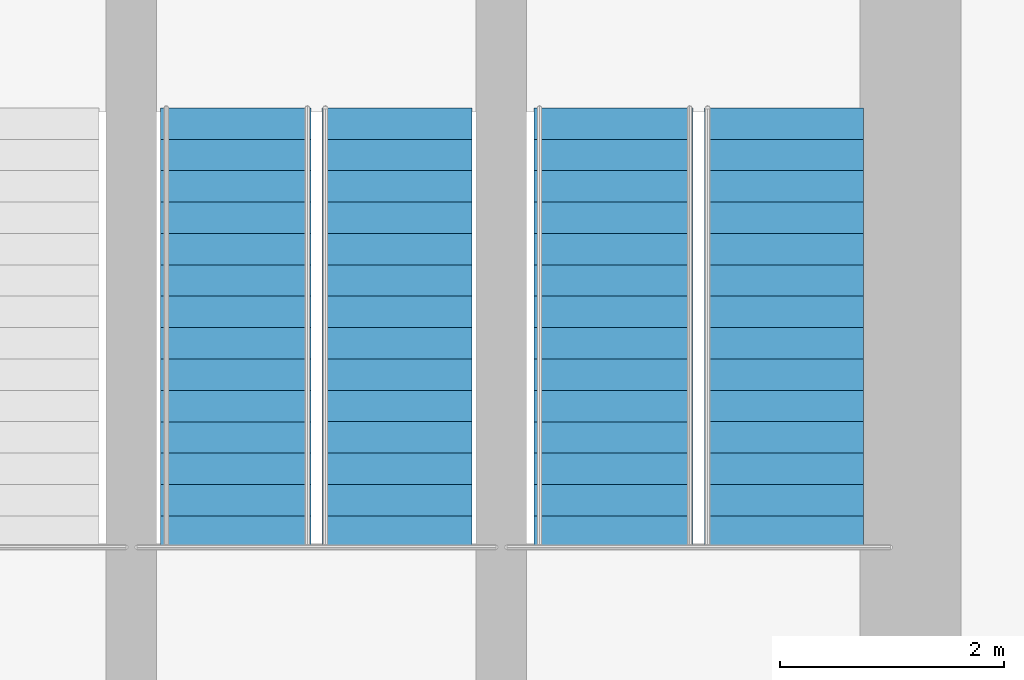
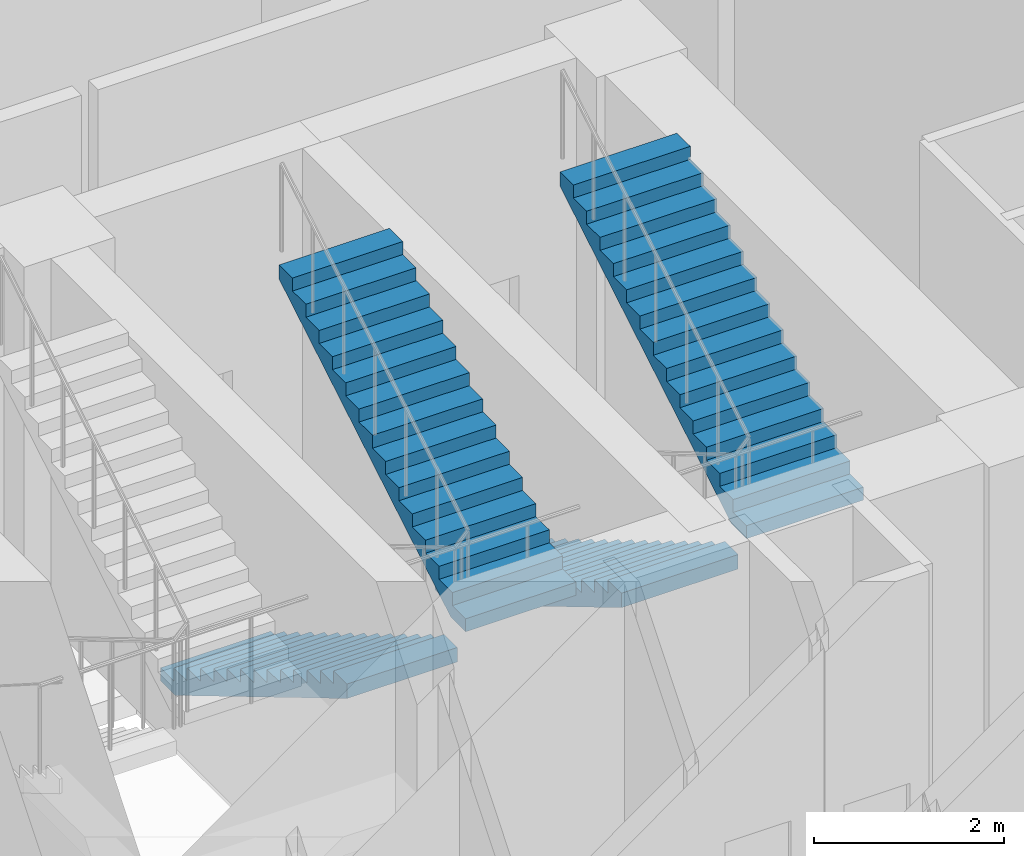
# One storey, part 30 of 37: 4 stair flights, 2 elements without a shape of their own.
"""IFC4 building model written with IfcOpenShell, lengths in metres."""

from ifc_helpers import new_model, si_unit, direction, frame, origin, place, context, subcontext, project, spatial, polyline, outline, extrude, material, type_object, element, aggregate, save


model = new_model("IFC4")

# Units and contexts
model_context = context("Model", 3, precision=1e-05, world=origin(), true_north=direction((0.0, 1.0)))
body_context = subcontext(model_context, "Body", "Model", "MODEL_VIEW")
ifc_project = project(units=[si_unit("LENGTHUNIT", "METRE"), si_unit("AREAUNIT", "SQUARE_METRE"), si_unit("VOLUMEUNIT", "CUBIC_METRE"), si_unit("PLANEANGLEUNIT", "RADIAN"), si_unit("MASSUNIT", "GRAM", prefix="KILO")], contexts=[model_context])

# Site, building, storey
site_placement = place(None, origin())
site = spatial("IfcSite", under=ifc_project, at=site_placement, CompositionType="ELEMENT")
building_placement = place(site_placement, origin())
building = spatial("IfcBuilding", under=site, at=building_placement, Name="Nuhasar Tower", CompositionType="ELEMENT")
storey_placement = place(building_placement, frame((0.0, 0.0, 6.0)))
storey = spatial("IfcBuildingStorey", under=building, at=storey_placement, Name="L01", CompositionType="ELEMENT", Elevation=6.0)

# Stair, stair flights
ifc_material = material(Name="Concrete C45/55", Category="concrete")
stair_type_1 = type_object("IfcStairType", Name="STR-ST-02-2F-30R-1667", PredefinedType="HALF_TURN_STAIR", material=ifc_material)
stair_1_placement = place(storey_placement, origin())
stair_1 = element("IfcStair", 1, at=stair_1_placement, inside=storey, type_object=stair_type_1, Name="L01 Exit Stair ST-02", PredefinedType="HALF_TURN_STAIR")
stair_flight_type_1 = type_object("IfcStairFlightType", Name="SFL-ST-02-15R-1667", PredefinedType="STRAIGHT", material=ifc_material)
stair_flight_1_placement = place(storey_placement, frame((41.64990234375, 35.284912109375, 0.0), z_axis=(0.0, 0.0, 1.0), x_axis=(0.0, -1.0, 0.0)))
stair_flight_1 = element("IfcStairFlight", 2, at=stair_flight_1_placement, type_object=stair_flight_type_1, Name="ST-02 flight 1", NumberOfRisers=15, NumberOfTreads=14, PredefinedType="STRAIGHT", RiserHeight=0.166667, TreadLength=0.28, context=body_context, shape_type="SweptSolid", body=[
    extrude(outline(polyline([(0.0, 0.0), (0.0, 0.166748046875), (0.280029296875, 0.166748046875), (0.280029296875, 0.333251953125), (0.56005859375, 0.333251953125), (0.56005859375, 0.5), (0.840087890625, 0.5), (0.840087890625, 0.666748046875), (1.1201171875, 0.666748046875), (1.1201171875, 0.833251953125), (1.39990234375, 0.833251953125), (1.39990234375, 1.0), (1.679931640625, 1.0), (1.679931640625, 1.166748046875), (1.9599609375, 1.166748046875), (1.9599609375, 1.333251953125), (2.239990234375, 1.333251953125), (2.239990234375, 1.5), (2.52001953125, 1.5), (2.52001953125, 1.666748046875), (2.800048828125, 1.666748046875), (2.800048828125, 1.833251953125), (3.080078125, 1.833251953125), (3.080078125, 2.0), (3.360107421875, 2.0), (3.360107421875, 2.166748046875), (3.639892578125, 2.166748046875), (3.639892578125, 2.333251953125), (3.919921875, 2.333251953125), (3.919921875, 2.5), (3.919921875, 2.147216796875), (0.312744140625, 0.0), (0.0, 0.0)])), frame((0.0, 0.7099609375, 0.0), z_axis=(0.0, -1.0, 0.0), x_axis=(1.0, 0.0, 0.0)), (0.0, 0.0, 1.0), 1.419921875),
])
stair_flight_2_placement = place(storey_placement, frame((43.169921875, 31.364990234375, 2.5), z_axis=(0.0, 0.0, 1.0), x_axis=(0.0, 1.0, 0.0)))
stair_flight_2 = element("IfcStairFlight", 3, at=stair_flight_2_placement, type_object=stair_flight_type_1, Name="ST-02 flight 2", NumberOfRisers=15, NumberOfTreads=14, PredefinedType="STRAIGHT", RiserHeight=0.166667, TreadLength=0.28, context=body_context, shape_type="SweptSolid", body=[
    extrude(outline(polyline([(0.0, 0.0), (0.0, 0.166748046875), (0.280029296875, 0.166748046875), (0.280029296875, 0.333251953125), (0.56005859375, 0.333251953125), (0.56005859375, 0.5), (0.840087890625, 0.5), (0.840087890625, 0.666748046875), (1.1201171875, 0.666748046875), (1.1201171875, 0.833251953125), (1.39990234375, 0.833251953125), (1.39990234375, 1.0), (1.679931640625, 1.0), (1.679931640625, 1.166748046875), (1.9599609375, 1.166748046875), (1.9599609375, 1.333251953125), (2.239990234375, 1.333251953125), (2.239990234375, 1.5), (2.52001953125, 1.5), (2.52001953125, 1.666748046875), (2.800048828125, 1.666748046875), (2.800048828125, 1.833251953125), (3.080078125, 1.833251953125), (3.080078125, 2.0), (3.360107421875, 2.0), (3.360107421875, 2.166748046875), (3.639892578125, 2.166748046875), (3.639892578125, 2.333251953125), (3.919921875, 2.333251953125), (3.919921875, 2.5), (3.919921875, 2.147216796875), (0.312744140625, 0.0), (0.0, 0.0)])), frame((0.0, 0.7099609375, 0.0), z_axis=(0.0, -1.0, 0.0), x_axis=(1.0, 0.0, 0.0)), (0.0, 0.0, 1.0), 1.419921875),
])
aggregate(stair_1, [stair_flight_1, stair_flight_2])

stair_type_2 = type_object("IfcStairType", Name="STR-ST-03-2F-30R-1667", PredefinedType="HALF_TURN_STAIR", material=ifc_material)
stair_2_placement = place(storey_placement, origin())
stair_2 = element("IfcStair", 4, at=stair_2_placement, inside=storey, type_object=stair_type_2, Name="L01 Exit Stair ST-03", PredefinedType="HALF_TURN_STAIR")
stair_flight_type_2 = type_object("IfcStairFlightType", Name="SFL-ST-03-15R-1667", PredefinedType="STRAIGHT", material=ifc_material)
stair_flight_3_placement = place(storey_placement, frame((38.280029296875, 35.284912109375, 0.0), z_axis=(0.0, 0.0, 1.0), x_axis=(0.0, -1.0, 0.0)))
stair_flight_3 = element("IfcStairFlight", 5, at=stair_flight_3_placement, type_object=stair_flight_type_2, Name="ST-03 flight 1", NumberOfRisers=15, NumberOfTreads=14, PredefinedType="STRAIGHT", RiserHeight=0.166667, TreadLength=0.28, context=body_context, shape_type="SweptSolid", body=[
    extrude(outline(polyline([(0.0, 0.0), (0.0, 0.166748046875), (0.280029296875, 0.166748046875), (0.280029296875, 0.333251953125), (0.56005859375, 0.333251953125), (0.56005859375, 0.5), (0.840087890625, 0.5), (0.840087890625, 0.666748046875), (1.1201171875, 0.666748046875), (1.1201171875, 0.833251953125), (1.39990234375, 0.833251953125), (1.39990234375, 1.0), (1.679931640625, 1.0), (1.679931640625, 1.166748046875), (1.9599609375, 1.166748046875), (1.9599609375, 1.333251953125), (2.239990234375, 1.333251953125), (2.239990234375, 1.5), (2.52001953125, 1.5), (2.52001953125, 1.666748046875), (2.800048828125, 1.666748046875), (2.800048828125, 1.833251953125), (3.080078125, 1.833251953125), (3.080078125, 2.0), (3.360107421875, 2.0), (3.360107421875, 2.166748046875), (3.639892578125, 2.166748046875), (3.639892578125, 2.333251953125), (3.919921875, 2.333251953125), (3.919921875, 2.5), (3.919921875, 2.147216796875), (0.312744140625, 0.0), (0.0, 0.0)])), frame((0.0, 0.669921875, 0.0), z_axis=(0.0, -1.0, 0.0), x_axis=(1.0, 0.0, 0.0)), (0.0, 0.0, 1.0), 1.340087890625),
])
stair_flight_4_placement = place(storey_placement, frame((39.719970703125, 31.364990234375, 2.5), z_axis=(0.0, 0.0, 1.0), x_axis=(0.0, 1.0, 0.0)))
stair_flight_4 = element("IfcStairFlight", 6, at=stair_flight_4_placement, type_object=stair_flight_type_2, Name="ST-03 flight 2", NumberOfRisers=15, NumberOfTreads=14, PredefinedType="STRAIGHT", RiserHeight=0.166667, TreadLength=0.28, context=body_context, shape_type="SweptSolid", body=[
    extrude(outline(polyline([(0.0, 0.0), (0.0, 0.166748046875), (0.280029296875, 0.166748046875), (0.280029296875, 0.333251953125), (0.56005859375, 0.333251953125), (0.56005859375, 0.5), (0.840087890625, 0.5), (0.840087890625, 0.666748046875), (1.1201171875, 0.666748046875), (1.1201171875, 0.833251953125), (1.39990234375, 0.833251953125), (1.39990234375, 1.0), (1.679931640625, 1.0), (1.679931640625, 1.166748046875), (1.9599609375, 1.166748046875), (1.9599609375, 1.333251953125), (2.239990234375, 1.333251953125), (2.239990234375, 1.5), (2.52001953125, 1.5), (2.52001953125, 1.666748046875), (2.800048828125, 1.666748046875), (2.800048828125, 1.833251953125), (3.080078125, 1.833251953125), (3.080078125, 2.0), (3.360107421875, 2.0), (3.360107421875, 2.166748046875), (3.639892578125, 2.166748046875), (3.639892578125, 2.333251953125), (3.919921875, 2.333251953125), (3.919921875, 2.5), (3.919921875, 2.147216796875), (0.312744140625, 0.0), (0.0, 0.0)])), frame((0.0, 0.669921875, 0.0), z_axis=(0.0, -1.0, 0.0), x_axis=(1.0, 0.0, 0.0)), (0.0, 0.0, 1.0), 1.340087890625),
])
aggregate(stair_2, [stair_flight_3, stair_flight_4])

save(model, "model.ifc")
